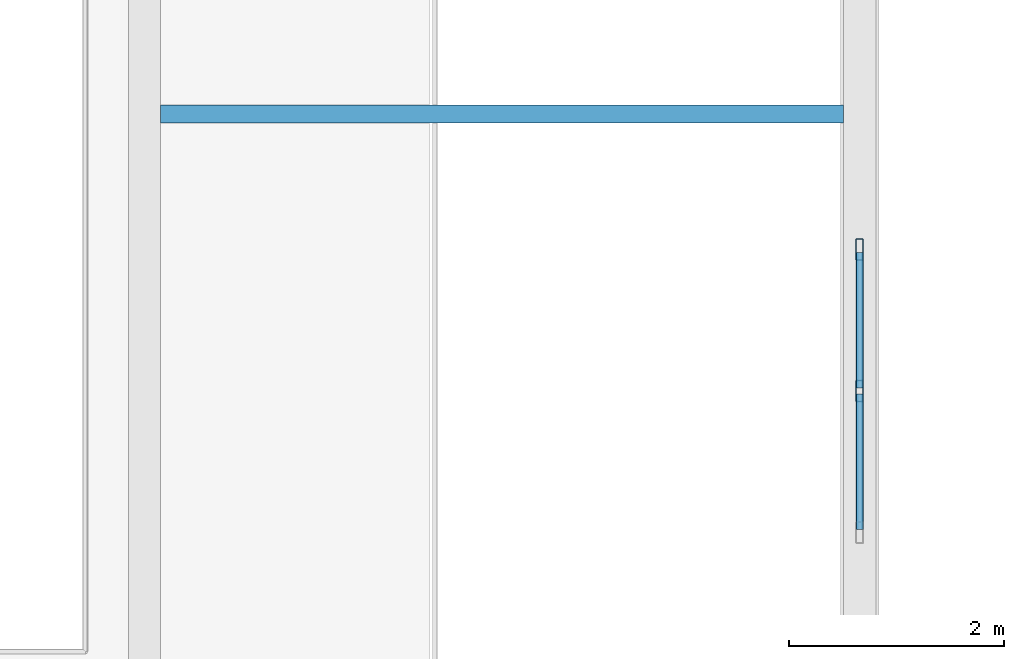
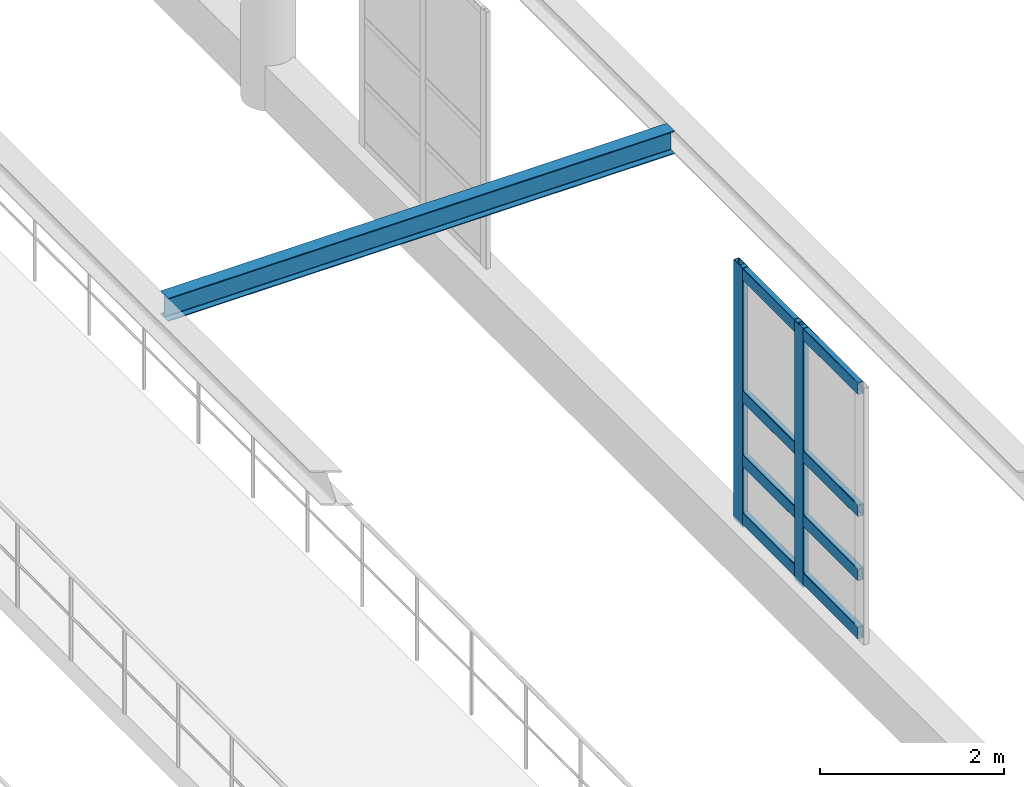
# One storey, part 55 of 197: 10 members, 1 beam, 1 element without a shape of its own.
"""IFC4 building model written with IfcOpenShell, lengths in metres."""

from ifc_helpers import new_model, si_unit, derived_unit, direction, frame, origin, origin_2d, place, context, subcontext, project, spatial, hollow_rectangle, i_section, extrude, material, layer, layer_set, material_profile, profile_set, type_object, element, aggregate, save


model = new_model("IFC4")

# Units and contexts
model_context = context("Model", 3, precision=1e-05, world=origin(), true_north=direction((0.0, 1.0)))
body_context = subcontext(model_context, "Body", "Model", "MODEL_VIEW")
ifc_project = project(units=[si_unit("LENGTHUNIT", "METRE"), si_unit("AREAUNIT", "SQUARE_METRE"), si_unit("VOLUMEUNIT", "CUBIC_METRE"), si_unit("PLANEANGLEUNIT", "RADIAN"), si_unit("MASSUNIT", "GRAM", prefix="KILO"), derived_unit("THERMALTRANSMITTANCEUNIT", [(si_unit("POWERUNIT", "WATT"), 1), (si_unit("LENGTHUNIT", "METRE"), -2), (si_unit("THERMODYNAMICTEMPERATUREUNIT", "KELVIN"), -1)])], contexts=[model_context])

# Site, building, storey
site_placement = place(None, origin())
site = spatial("IfcSite", under=ifc_project, at=site_placement, CompositionType="ELEMENT")
building_placement = place(site_placement, origin())
building = spatial("IfcBuilding", under=site, at=building_placement, Name="Almenara Railside Exhibition Hall", CompositionType="ELEMENT")
storey_placement = place(building_placement, frame((0.0, 0.0, 5.39990234375)))
storey = spatial("IfcBuildingStorey", under=building, at=storey_placement, Name="L01", CompositionType="ELEMENT", Elevation=5.39990234375)

# Curtain wall, members
ifc_material_1 = material(Name="Bronze-anodised aluminium and low-E double glazing", Category="aluminium")
ifc_layer = layer(ifc_material_1, 0.179931640625, Name="Bronze-anodised aluminium and low-E double glazing")
ifc_layer_set = layer_set([ifc_layer], Name="Bronze-anodised aluminium and low-E double glazing")
curtain_wall_type = type_object("IfcCurtainWallType", Name="Courtyard South Galeria Curtain Wall 2700x3400", PredefinedType="NOTDEFINED", material=ifc_layer_set)
curtain_wall_placement = place(storey_placement, origin())
curtain_wall = element("IfcCurtainWall", 1, at=curtain_wall_placement, inside=storey, type_object=curtain_wall_type, Name="Curtain wall CW-CY3-159", PredefinedType="NOTDEFINED")
ifc_material_2 = material(Name="Bronze-anodised aluminium", Category="aluminium")
ifc_material_profile_1 = material_profile(ifc_material_2, hollow_rectangle(XDim=0.070068359375, YDim=0.199951171875, WallThickness=0.00439453125, InnerFilletRadius=0.00439453125, OuterFilletRadius=0.009033203125, at=origin_2d()), Name="ALU-MUL 70x200x4.5")
ifc_profile_set_1 = profile_set([ifc_material_profile_1], Name="Bronze-anodised aluminium")
member_type_1 = type_object("IfcMemberType", Name="Curtain Wall Mullion 70x200x4.5", PredefinedType="MULLION", material=ifc_profile_set_1)
member_1_placement = place(storey_placement, frame((84.0, 61.73779296875, 0.565185546875), z_axis=(0.0, 0.0, 1.0), x_axis=(1.0, 0.0, 0.0)))
member_1 = element("IfcMember", 2, at=member_1_placement, type_object=member_type_1, Name="CW-CY3-159 mullion 1", PredefinedType="MULLION", context=body_context, shape_type="SweptSolid", body=[
    extrude(hollow_rectangle(XDim=0.070068359375, YDim=0.199951171875, WallThickness=0.00439453125, InnerFilletRadius=0.00439453125, OuterFilletRadius=0.009033203125, at=origin_2d()), origin(), (0.0, 0.0, 1.0), 3.434814453125),
])
member_2_placement = place(storey_placement, frame((84.0, 60.422607421875, 0.565185546875), z_axis=(0.0, 0.0, 1.0), x_axis=(1.0, 0.0, 0.0)))
member_2 = element("IfcMember", 3, at=member_2_placement, type_object=member_type_1, Name="CW-CY3-159 mullion 2", PredefinedType="MULLION", context=body_context, shape_type="SweptSolid", body=[
    extrude(hollow_rectangle(XDim=0.070068359375, YDim=0.199951171875, WallThickness=0.00439453125, InnerFilletRadius=0.00439453125, OuterFilletRadius=0.009033203125, at=origin_2d()), origin(), (0.0, 0.0, 1.0), 3.434814453125),
])
ifc_material_profile_2 = material_profile(ifc_material_2, hollow_rectangle(XDim=0.070068359375, YDim=0.159912109375, WallThickness=0.00390625, InnerFilletRadius=0.00390625, OuterFilletRadius=0.008056640625, at=origin_2d()), Name="ALU-TRN 70x160x4")
ifc_profile_set_2 = profile_set([ifc_material_profile_2], Name="Bronze-anodised aluminium")
member_type_2 = type_object("IfcMemberType", Name="Curtain Wall Transom 70x160x4", PredefinedType="USERDEFINED", material=ifc_profile_set_2)
member_3_placement = place(storey_placement, frame((84.0, 61.710693359375, 0.68017578125), z_axis=(0.0, -1.0, 0.0), x_axis=(1.0, 0.0, 0.0)))
member_3 = element("IfcMember", 4, at=member_3_placement, type_object=member_type_2, Name="CW-CY3-159 transom 1.1", ObjectType="TRANSOM", PredefinedType="USERDEFINED", context=body_context, shape_type="SweptSolid", body=[
    extrude(hollow_rectangle(XDim=0.070068359375, YDim=0.159912109375, WallThickness=0.00390625, InnerFilletRadius=0.00390625, OuterFilletRadius=0.008056640625, at=origin_2d()), origin(), (0.0, 0.0, 1.0), 1.260986328125),
])
member_4_placement = place(storey_placement, frame((84.0, 61.710693359375, 1.4501953125), z_axis=(0.0, -1.0, 0.0), x_axis=(1.0, 0.0, 0.0)))
member_4 = element("IfcMember", 5, at=member_4_placement, type_object=member_type_2, Name="CW-CY3-159 transom 1.2", ObjectType="TRANSOM", PredefinedType="USERDEFINED", context=body_context, shape_type="SweptSolid", body=[
    extrude(hollow_rectangle(XDim=0.070068359375, YDim=0.159912109375, WallThickness=0.00390625, InnerFilletRadius=0.00390625, OuterFilletRadius=0.008056640625, at=origin_2d()), origin(), (0.0, 0.0, 1.0), 1.260986328125),
])
member_5_placement = place(storey_placement, frame((84.0, 61.710693359375, 2.300048828125), z_axis=(0.0, -1.0, 0.0), x_axis=(1.0, 0.0, 0.0)))
member_5 = element("IfcMember", 6, at=member_5_placement, type_object=member_type_2, Name="CW-CY3-159 transom 1.3", ObjectType="TRANSOM", PredefinedType="USERDEFINED", context=body_context, shape_type="SweptSolid", body=[
    extrude(hollow_rectangle(XDim=0.070068359375, YDim=0.159912109375, WallThickness=0.00390625, InnerFilletRadius=0.00390625, OuterFilletRadius=0.008056640625, at=origin_2d()), origin(), (0.0, 0.0, 1.0), 1.260986328125),
])
member_6_placement = place(storey_placement, frame((84.0, 61.710693359375, 3.920166015625), z_axis=(0.0, -1.0, 0.0), x_axis=(1.0, 0.0, 0.0)))
member_6 = element("IfcMember", 7, at=member_6_placement, type_object=member_type_2, Name="CW-CY3-159 transom 1.4", ObjectType="TRANSOM", PredefinedType="USERDEFINED", context=body_context, shape_type="SweptSolid", body=[
    extrude(hollow_rectangle(XDim=0.070068359375, YDim=0.159912109375, WallThickness=0.00390625, InnerFilletRadius=0.00390625, OuterFilletRadius=0.008056640625, at=origin_2d()), origin(), (0.0, 0.0, 1.0), 1.260986328125),
])
member_7_placement = place(storey_placement, frame((84.0, 60.395751953125, 0.68017578125), z_axis=(0.0, -1.0, 0.0), x_axis=(1.0, 0.0, 0.0)))
member_7 = element("IfcMember", 8, at=member_7_placement, type_object=member_type_2, Name="CW-CY3-159 transom 2.1", ObjectType="TRANSOM", PredefinedType="USERDEFINED", context=body_context, shape_type="SweptSolid", body=[
    extrude(hollow_rectangle(XDim=0.070068359375, YDim=0.159912109375, WallThickness=0.00390625, InnerFilletRadius=0.00390625, OuterFilletRadius=0.008056640625, at=origin_2d()), origin(), (0.0, 0.0, 1.0), 1.260986328125),
])
member_8_placement = place(storey_placement, frame((84.0, 60.395751953125, 1.4501953125), z_axis=(0.0, -1.0, 0.0), x_axis=(1.0, 0.0, 0.0)))
member_8 = element("IfcMember", 9, at=member_8_placement, type_object=member_type_2, Name="CW-CY3-159 transom 2.2", ObjectType="TRANSOM", PredefinedType="USERDEFINED", context=body_context, shape_type="SweptSolid", body=[
    extrude(hollow_rectangle(XDim=0.070068359375, YDim=0.159912109375, WallThickness=0.00390625, InnerFilletRadius=0.00390625, OuterFilletRadius=0.008056640625, at=origin_2d()), origin(), (0.0, 0.0, 1.0), 1.260986328125),
])
member_9_placement = place(storey_placement, frame((84.0, 60.395751953125, 2.300048828125), z_axis=(0.0, -1.0, 0.0), x_axis=(1.0, 0.0, 0.0)))
member_9 = element("IfcMember", 10, at=member_9_placement, type_object=member_type_2, Name="CW-CY3-159 transom 2.3", ObjectType="TRANSOM", PredefinedType="USERDEFINED", context=body_context, shape_type="SweptSolid", body=[
    extrude(hollow_rectangle(XDim=0.070068359375, YDim=0.159912109375, WallThickness=0.00390625, InnerFilletRadius=0.00390625, OuterFilletRadius=0.008056640625, at=origin_2d()), origin(), (0.0, 0.0, 1.0), 1.260986328125),
])
member_10_placement = place(storey_placement, frame((84.0, 60.395751953125, 3.920166015625), z_axis=(0.0, -1.0, 0.0), x_axis=(1.0, 0.0, 0.0)))
member_10 = element("IfcMember", 11, at=member_10_placement, type_object=member_type_2, Name="CW-CY3-159 transom 2.4", ObjectType="TRANSOM", PredefinedType="USERDEFINED", context=body_context, shape_type="SweptSolid", body=[
    extrude(hollow_rectangle(XDim=0.070068359375, YDim=0.159912109375, WallThickness=0.00390625, InnerFilletRadius=0.00390625, OuterFilletRadius=0.008056640625, at=origin_2d()), origin(), (0.0, 0.0, 1.0), 1.260986328125),
])
aggregate(curtain_wall, [member_1, member_2, member_3, member_4, member_5, member_6, member_7, member_8, member_9, member_10])

# Beam
ifc_material_3 = material(Name="Structural steel S355JR", Category="steel")
ifc_material_profile_3 = material_profile(ifc_material_3, i_section(OverallWidth=0.165771484375, OverallDepth=0.306640625, WebThickness=0.006591796875, FlangeThickness=0.01171875, FilletRadius=0.0087890625, at=origin_2d()), Name="UB 305x165x46")
ifc_profile_set_3 = profile_set([ifc_material_profile_3], Name="Structural steel S355JR")
beam_type = type_object("IfcBeamType", Name="Steel Walkway Joist UB 305x165x46 S355JR", PredefinedType="JOIST", material=ifc_profile_set_3)
beam_placement = place(storey_placement, frame((77.5, 63.0, 4.936767578125), z_axis=(1.0, 0.0, 0.0), x_axis=(0.0, 1.0, 0.0)))
element("IfcBeam", 12, at=beam_placement, inside=storey, type_object=beam_type, Name="Beam 0788", PredefinedType="JOIST", context=body_context, shape_type="SweptSolid", body=[
    extrude(i_section(OverallWidth=0.165771484375, OverallDepth=0.306640625, WebThickness=0.006591796875, FlangeThickness=0.01171875, FilletRadius=0.0087890625, at=origin_2d()), origin(), (0.0, 0.0, 1.0), 6.35009765625),
])

save(model, "model.ifc")
